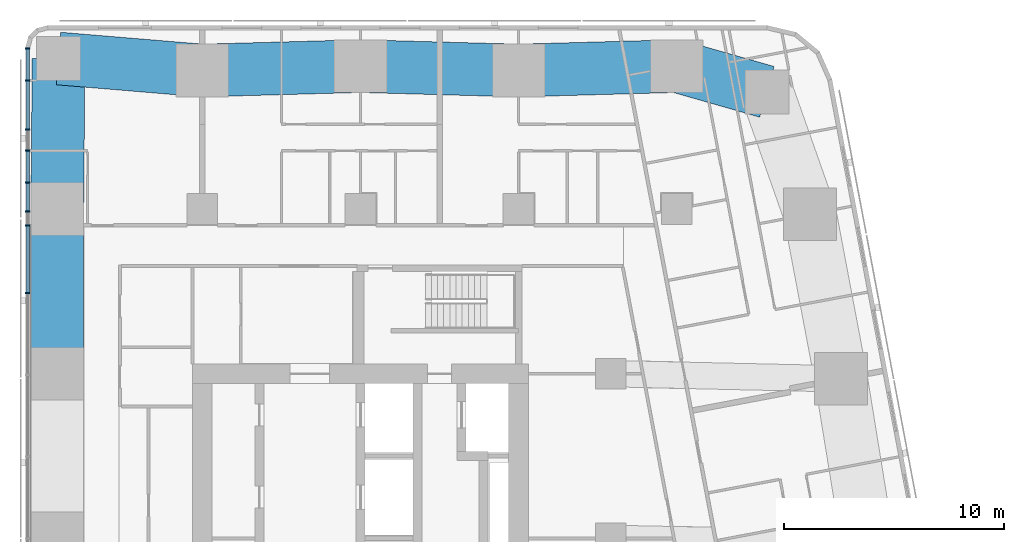
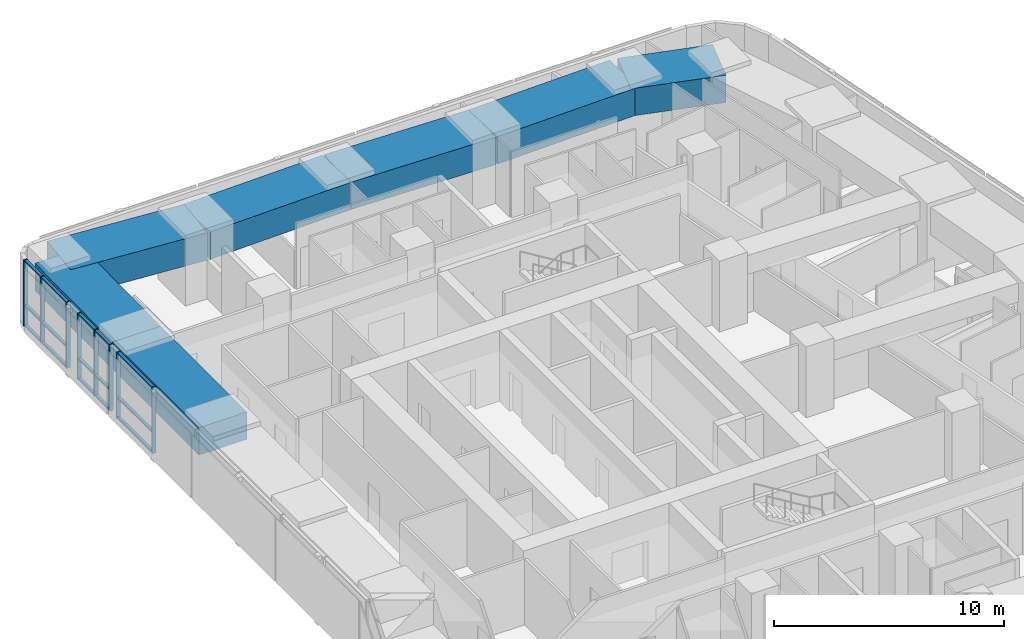
# One storey, part 5 of 19: 23 members, 7 beams, 1 element without a shape of its own.
"""IFC4 building model written with IfcOpenShell, lengths in metres."""

from ifc_helpers import new_model, si_unit, direction, frame, origin, origin_2d, place, context, subcontext, project, spatial, rectangle, extrude, material, material_profile, profile_set, type_object, element, aggregate, save


model = new_model("IFC4")

# Units and contexts
model_context = context("Model", 3, precision=1e-05, world=origin(), true_north=direction((0.0, 1.0)))
body_context = subcontext(model_context, "Body", "Model", "MODEL_VIEW")
ifc_project = project(units=[si_unit("LENGTHUNIT", "METRE"), si_unit("AREAUNIT", "SQUARE_METRE"), si_unit("VOLUMEUNIT", "CUBIC_METRE"), si_unit("PLANEANGLEUNIT", "RADIAN"), si_unit("MASSUNIT", "GRAM", prefix="KILO")], contexts=[model_context])

# Site, building, storey
site_placement = place(None, origin())
site = spatial("IfcSite", under=ifc_project, at=site_placement, CompositionType="ELEMENT")
building_placement = place(site_placement, origin())
building = spatial("IfcBuilding", under=site, at=building_placement, Name="Sheger Commons Tower", CompositionType="ELEMENT")
storey_placement = place(building_placement, frame((0.0, 0.0, 219.949951171875)))
storey = spatial("IfcBuildingStorey", under=building, at=storey_placement, Name="L56", CompositionType="ELEMENT", Elevation=219.949951171875)

# Curtain wall, members
ifc_material_1 = material(Name="Black aluminium curtain wall, dark tinted glazing", Category="aluminium")
curtain_wall_type = type_object("IfcCurtainWallType", Name="CURTAIN WALL CW4 GALLERY", PredefinedType="USERDEFINED", material=ifc_material_1)
curtain_wall_placement = place(storey_placement, origin())
curtain_wall = element("IfcCurtainWall", 1, at=curtain_wall_placement, inside=storey, type_object=curtain_wall_type, Name="Curtain Wall Cw4 Gallery W1 L56", ObjectType="UNITISED CURTAIN WALL", PredefinedType="USERDEFINED")
ifc_material_2 = material(Name="Black anodised aluminium", Category="aluminium")
ifc_material_profile_1 = material_profile(ifc_material_2, rectangle(XDim=0.199951171875, YDim=0.06494140625, at=origin_2d()), Name="AL 65x200")
ifc_profile_set_1 = profile_set([ifc_material_profile_1], Name="Black anodised aluminium")
member_type_1 = type_object("IfcMemberType", Name="MULLION AL 65x200", PredefinedType="MULLION", material=ifc_profile_set_1)
member_1_placement = place(storey_placement, frame((6.449951171875, 44.804443359375, 0.0), z_axis=(0.0, 0.0, 1.0), x_axis=(1.0, 0.0, 0.0)))
member_1 = element("IfcMember", 2, at=member_1_placement, type_object=member_type_1, Name="CW4 mullion 1", PredefinedType="MULLION", context=body_context, shape_type="SweptSolid", body=[
    extrude(rectangle(XDim=0.199951171875, YDim=0.06494140625, at=origin_2d()), origin(), (0.0, 0.0, 1.0), 3.5),
])
member_2_placement = place(storey_placement, frame((6.449951171875, 43.345947265625, 0.0), z_axis=(0.0, 0.0, 1.0), x_axis=(1.0, 0.0, 0.0)))
member_2 = element("IfcMember", 3, at=member_2_placement, type_object=member_type_1, Name="CW4 mullion 2", PredefinedType="MULLION", context=body_context, shape_type="SweptSolid", body=[
    extrude(rectangle(XDim=0.199951171875, YDim=0.06494140625, at=origin_2d()), origin(), (0.0, 0.0, 1.0), 3.5),
])
member_3_placement = place(storey_placement, frame((6.449951171875, 41.114013671875, 0.0), z_axis=(0.0, 0.0, 1.0), x_axis=(1.0, 0.0, 0.0)))
member_3 = element("IfcMember", 4, at=member_3_placement, type_object=member_type_1, Name="CW4 mullion 3", PredefinedType="MULLION", context=body_context, shape_type="SweptSolid", body=[
    extrude(rectangle(XDim=0.199951171875, YDim=0.06494140625, at=origin_2d()), origin(), (0.0, 0.0, 1.0), 3.5),
])
member_4_placement = place(storey_placement, frame((6.449951171875, 40.14990234375, 0.0), z_axis=(0.0, 0.0, 1.0), x_axis=(1.0, 0.0, 0.0)))
member_4 = element("IfcMember", 5, at=member_4_placement, type_object=member_type_1, Name="CW4 mullion 4", PredefinedType="MULLION", context=body_context, shape_type="SweptSolid", body=[
    extrude(rectangle(XDim=0.199951171875, YDim=0.06494140625, at=origin_2d()), origin(), (0.0, 0.0, 1.0), 3.5),
])
member_5_placement = place(storey_placement, frame((6.449951171875, 38.699951171875, 0.0), z_axis=(0.0, 0.0, 1.0), x_axis=(1.0, 0.0, 0.0)))
member_5 = element("IfcMember", 6, at=member_5_placement, type_object=member_type_1, Name="CW4 mullion 5", PredefinedType="MULLION", context=body_context, shape_type="SweptSolid", body=[
    extrude(rectangle(XDim=0.199951171875, YDim=0.06494140625, at=origin_2d()), origin(), (0.0, 0.0, 1.0), 3.5),
])
member_6_placement = place(storey_placement, frame((6.449951171875, 37.39111328125, 0.0), z_axis=(0.0, 0.0, 1.0), x_axis=(1.0, 0.0, 0.0)))
member_6 = element("IfcMember", 7, at=member_6_placement, type_object=member_type_1, Name="CW4 mullion 6", PredefinedType="MULLION", context=body_context, shape_type="SweptSolid", body=[
    extrude(rectangle(XDim=0.199951171875, YDim=0.06494140625, at=origin_2d()), origin(), (0.0, 0.0, 1.0), 3.5),
])
member_7_placement = place(storey_placement, frame((6.449951171875, 36.75, 0.0), z_axis=(0.0, 0.0, 1.0), x_axis=(1.0, 0.0, 0.0)))
member_7 = element("IfcMember", 8, at=member_7_placement, type_object=member_type_1, Name="CW4 mullion 7", PredefinedType="MULLION", context=body_context, shape_type="SweptSolid", body=[
    extrude(rectangle(XDim=0.199951171875, YDim=0.06494140625, at=origin_2d()), origin(), (0.0, 0.0, 1.0), 3.5),
])
member_8_placement = place(storey_placement, frame((6.449951171875, 33.66796875, 0.0), z_axis=(0.0, 0.0, 1.0), x_axis=(1.0, 0.0, 0.0)))
member_8 = element("IfcMember", 9, at=member_8_placement, type_object=member_type_1, Name="CW4 mullion 8", PredefinedType="MULLION", context=body_context, shape_type="SweptSolid", body=[
    extrude(rectangle(XDim=0.199951171875, YDim=0.06494140625, at=origin_2d()), origin(), (0.0, 0.0, 1.0), 3.5),
])

# Beams
ifc_material_3 = material(Name="Concrete C50/60", Category="concrete")
ifc_material_profile_2 = material_profile(ifc_material_3, rectangle(XDim=2.39990234375, YDim=1.449951171875, at=origin_2d()), Name="RC 2400x1450")
ifc_profile_set_2 = profile_set([ifc_material_profile_2], Name="Concrete C50/60")
beam_type = type_object("IfcBeamType", Name="SPANDREL RC 2400x1450", PredefinedType="SPANDREL", material=ifc_profile_set_2)
beam_1_placement = place(storey_placement, frame((40.10205078125, 42.830078125, 2.775146484375), z_axis=(-0.961653428129, 0.274267541221, 0.0), x_axis=(-0.274267541221, -0.961653428129, 0.0)))
element("IfcBeam", 10, at=beam_1_placement, inside=storey, type_object=beam_type, Name="Beam 41.490,44.505-6/G under L57", PredefinedType="SPANDREL", context=body_context, shape_type="SweptSolid", body=[
    extrude(rectangle(XDim=2.39990234375, YDim=1.449951171875, at=origin_2d()), origin(), (0.0, 0.0, 1.0), 4.265625),
])
for number, where, z_axis, x_axis, name in (
    (11, (36.0, 44.0, 2.775146484375), (-0.999614603568, -0.027760481514, 0.0), (0.027760481514, -0.999614603568, 0.0), "Beam 6/G-5/G under L57"),
    (12, (28.800048828125, 43.800048828125, 2.775146484375), (-0.999614603568, 0.027760481514, 0.0), (-0.027760481514, -0.999614603568, 0.0), "Beam 5/G-4/G under L57"),
):
    element("IfcBeam", number, at=place(storey_placement, frame(where, z_axis=z_axis, x_axis=x_axis)), inside=storey, type_object=beam_type, Name=name, PredefinedType="SPANDREL", context=body_context, shape_type="SweptSolid", body=[
        extrude(rectangle(XDim=2.39990234375, YDim=1.449951171875, at=origin_2d()), origin(), (0.0, 0.0, 1.0), 7.20263671875),
    ])
beam_2_placement = place(storey_placement, frame((21.60009765625, 44.0, 2.775146484375), z_axis=(-0.999614629688, -0.027759540951, 0.0), x_axis=(0.027759540951, -0.999614629688, 0.0)))
element("IfcBeam", 13, at=beam_2_placement, inside=storey, type_object=beam_type, Name="Beam 4/G-3/G under L57", PredefinedType="SPANDREL", context=body_context, shape_type="SweptSolid", body=[
    extrude(rectangle(XDim=2.39990234375, YDim=1.449951171875, at=origin_2d()), origin(), (0.0, 0.0, 1.0), 7.202880859375),
])
beam_3_placement = place(storey_placement, frame((14.39990234375, 43.800048828125, 2.775146484375), z_axis=(-0.996540629765, 0.083106998663, 0.0), x_axis=(-0.083106998663, -0.996540629765, 0.0)))
element("IfcBeam", 14, at=beam_3_placement, inside=storey, type_object=beam_type, Name="Beam 3/G-2/G under L57", PredefinedType="SPANDREL", context=body_context, shape_type="SweptSolid", body=[
    extrude(rectangle(XDim=2.39990234375, YDim=1.449951171875, at=origin_2d()), origin(), (0.0, 0.0, 1.0), 6.568603515625),
])
beam_4_placement = place(storey_placement, frame((7.85400390625, 44.345947265625, 2.775146484375), z_axis=(-0.00788107188, -0.999968943871, 0.0), x_axis=(0.999968943871, -0.00788107188, 0.0)))
element("IfcBeam", 15, at=beam_4_placement, inside=storey, type_object=beam_type, Name="Beam 2/G-2/F under L57", PredefinedType="SPANDREL", context=body_context, shape_type="SweptSolid", body=[
    extrude(rectangle(XDim=2.39990234375, YDim=1.449951171875, at=origin_2d()), origin(), (0.0, 0.0, 1.0), 6.84619140625),
])
beam_5_placement = place(storey_placement, frame((7.800048828125, 37.5, 2.775146484375), z_axis=(0.0, -1.0, 0.0), x_axis=(1.0, 0.0, 0.0)))
element("IfcBeam", 16, at=beam_5_placement, inside=storey, type_object=beam_type, Name="Beam 2/F-2/E under L57", PredefinedType="SPANDREL", context=body_context, shape_type="SweptSolid", body=[
    extrude(rectangle(XDim=2.39990234375, YDim=1.449951171875, at=origin_2d()), origin(), (0.0, 0.0, 1.0), 7.5),
])

# Member
ifc_material_4 = material(Name="Black anodised aluminium", Category="aluminium")
ifc_material_profile_3 = material_profile(ifc_material_4, rectangle(XDim=0.14990234375, YDim=0.06494140625, at=origin_2d()), Name="AL 65x150")
ifc_profile_set_3 = profile_set([ifc_material_profile_3], Name="Black anodised aluminium")
member_type_2 = type_object("IfcMemberType", Name="TRANSOM AL 65x150", PredefinedType="USERDEFINED", material=ifc_profile_set_3)
member_9_placement = place(storey_placement, frame((6.449951171875, 44.77197265625, 0.032470703125), z_axis=(0.0, -1.0, 0.0), x_axis=(1.0, 0.0, 0.0)))
member_9 = element("IfcMember", 17, at=member_9_placement, type_object=member_type_2, Name="CW4 transom 1.1", ObjectType="TRANSOM", PredefinedType="USERDEFINED", context=body_context, shape_type="SweptSolid", body=[
    extrude(rectangle(XDim=0.14990234375, YDim=0.06494140625, at=origin_2d()), origin(), (0.0, 0.0, 1.0), 1.3935546875),
])

member_10_placement = place(storey_placement, frame((6.449951171875, 44.77197265625, 1.10009765625), z_axis=(0.0, -1.0, 0.0), x_axis=(1.0, 0.0, 0.0)))
member_10 = element("IfcMember", 18, at=member_10_placement, type_object=member_type_2, Name="CW4 transom 1.2", ObjectType="TRANSOM", PredefinedType="USERDEFINED", context=body_context, shape_type="SweptSolid", body=[
    extrude(rectangle(XDim=0.14990234375, YDim=0.06494140625, at=origin_2d()), origin(), (0.0, 0.0, 1.0), 1.3935546875),
])

member_11_placement = place(storey_placement, frame((6.449951171875, 44.77197265625, 3.467529296875), z_axis=(0.0, -1.0, 0.0), x_axis=(1.0, 0.0, 0.0)))
member_11 = element("IfcMember", 19, at=member_11_placement, type_object=member_type_2, Name="CW4 transom 1.3", ObjectType="TRANSOM", PredefinedType="USERDEFINED", context=body_context, shape_type="SweptSolid", body=[
    extrude(rectangle(XDim=0.14990234375, YDim=0.06494140625, at=origin_2d()), origin(), (0.0, 0.0, 1.0), 1.3935546875),
])

member_12_placement = place(storey_placement, frame((6.449951171875, 43.3134765625, 0.032470703125), z_axis=(0.0, -1.0, 0.0), x_axis=(1.0, 0.0, 0.0)))
member_12 = element("IfcMember", 20, at=member_12_placement, type_object=member_type_2, Name="CW4 transom 2.1", ObjectType="TRANSOM", PredefinedType="USERDEFINED", context=body_context, shape_type="SweptSolid", body=[
    extrude(rectangle(XDim=0.14990234375, YDim=0.06494140625, at=origin_2d()), origin(), (0.0, 0.0, 1.0), 2.1669921875),
])

member_13_placement = place(storey_placement, frame((6.449951171875, 43.3134765625, 1.10009765625), z_axis=(0.0, -1.0, 0.0), x_axis=(1.0, 0.0, 0.0)))
member_13 = element("IfcMember", 21, at=member_13_placement, type_object=member_type_2, Name="CW4 transom 2.2", ObjectType="TRANSOM", PredefinedType="USERDEFINED", context=body_context, shape_type="SweptSolid", body=[
    extrude(rectangle(XDim=0.14990234375, YDim=0.06494140625, at=origin_2d()), origin(), (0.0, 0.0, 1.0), 2.1669921875),
])

member_14_placement = place(storey_placement, frame((6.449951171875, 43.3134765625, 3.467529296875), z_axis=(0.0, -1.0, 0.0), x_axis=(1.0, 0.0, 0.0)))
member_14 = element("IfcMember", 22, at=member_14_placement, type_object=member_type_2, Name="CW4 transom 2.3", ObjectType="TRANSOM", PredefinedType="USERDEFINED", context=body_context, shape_type="SweptSolid", body=[
    extrude(rectangle(XDim=0.14990234375, YDim=0.06494140625, at=origin_2d()), origin(), (0.0, 0.0, 1.0), 2.1669921875),
])

member_15_placement = place(storey_placement, frame((6.449951171875, 40.117431640625, 0.032470703125), z_axis=(0.0, -1.0, 0.0), x_axis=(1.0, 0.0, 0.0)))
member_15 = element("IfcMember", 23, at=member_15_placement, type_object=member_type_2, Name="CW4 transom 4.1", ObjectType="TRANSOM", PredefinedType="USERDEFINED", context=body_context, shape_type="SweptSolid", body=[
    extrude(rectangle(XDim=0.14990234375, YDim=0.06494140625, at=origin_2d()), origin(), (0.0, 0.0, 1.0), 1.385009765625),
])

member_16_placement = place(storey_placement, frame((6.449951171875, 40.117431640625, 1.10009765625), z_axis=(0.0, -1.0, 0.0), x_axis=(1.0, 0.0, 0.0)))
member_16 = element("IfcMember", 24, at=member_16_placement, type_object=member_type_2, Name="CW4 transom 4.2", ObjectType="TRANSOM", PredefinedType="USERDEFINED", context=body_context, shape_type="SweptSolid", body=[
    extrude(rectangle(XDim=0.14990234375, YDim=0.06494140625, at=origin_2d()), origin(), (0.0, 0.0, 1.0), 1.385009765625),
])

member_17_placement = place(storey_placement, frame((6.449951171875, 40.117431640625, 3.467529296875), z_axis=(0.0, -1.0, 0.0), x_axis=(1.0, 0.0, 0.0)))
member_17 = element("IfcMember", 25, at=member_17_placement, type_object=member_type_2, Name="CW4 transom 4.3", ObjectType="TRANSOM", PredefinedType="USERDEFINED", context=body_context, shape_type="SweptSolid", body=[
    extrude(rectangle(XDim=0.14990234375, YDim=0.06494140625, at=origin_2d()), origin(), (0.0, 0.0, 1.0), 1.385009765625),
])

member_18_placement = place(storey_placement, frame((6.449951171875, 38.66748046875, 0.032470703125), z_axis=(0.0, -1.0, 0.0), x_axis=(1.0, 0.0, 0.0)))
member_18 = element("IfcMember", 26, at=member_18_placement, type_object=member_type_2, Name="CW4 transom 5.1", ObjectType="TRANSOM", PredefinedType="USERDEFINED", context=body_context, shape_type="SweptSolid", body=[
    extrude(rectangle(XDim=0.14990234375, YDim=0.06494140625, at=origin_2d()), origin(), (0.0, 0.0, 1.0), 1.243896484375),
])

member_19_placement = place(storey_placement, frame((6.449951171875, 38.66748046875, 1.10009765625), z_axis=(0.0, -1.0, 0.0), x_axis=(1.0, 0.0, 0.0)))
member_19 = element("IfcMember", 27, at=member_19_placement, type_object=member_type_2, Name="CW4 transom 5.2", ObjectType="TRANSOM", PredefinedType="USERDEFINED", context=body_context, shape_type="SweptSolid", body=[
    extrude(rectangle(XDim=0.14990234375, YDim=0.06494140625, at=origin_2d()), origin(), (0.0, 0.0, 1.0), 1.243896484375),
])

member_20_placement = place(storey_placement, frame((6.449951171875, 38.66748046875, 3.467529296875), z_axis=(0.0, -1.0, 0.0), x_axis=(1.0, 0.0, 0.0)))
member_20 = element("IfcMember", 28, at=member_20_placement, type_object=member_type_2, Name="CW4 transom 5.3", ObjectType="TRANSOM", PredefinedType="USERDEFINED", context=body_context, shape_type="SweptSolid", body=[
    extrude(rectangle(XDim=0.14990234375, YDim=0.06494140625, at=origin_2d()), origin(), (0.0, 0.0, 1.0), 1.243896484375),
])

member_21_placement = place(storey_placement, frame((6.449951171875, 36.717529296875, 0.032470703125), z_axis=(0.0, -1.0, 0.0), x_axis=(1.0, 0.0, 0.0)))
member_21 = element("IfcMember", 29, at=member_21_placement, type_object=member_type_2, Name="CW4 transom 7.1", ObjectType="TRANSOM", PredefinedType="USERDEFINED", context=body_context, shape_type="SweptSolid", body=[
    extrude(rectangle(XDim=0.14990234375, YDim=0.06494140625, at=origin_2d()), origin(), (0.0, 0.0, 1.0), 3.01708984375),
])

member_22_placement = place(storey_placement, frame((6.449951171875, 36.717529296875, 1.10009765625), z_axis=(0.0, -1.0, 0.0), x_axis=(1.0, 0.0, 0.0)))
member_22 = element("IfcMember", 30, at=member_22_placement, type_object=member_type_2, Name="CW4 transom 7.2", ObjectType="TRANSOM", PredefinedType="USERDEFINED", context=body_context, shape_type="SweptSolid", body=[
    extrude(rectangle(XDim=0.14990234375, YDim=0.06494140625, at=origin_2d()), origin(), (0.0, 0.0, 1.0), 3.01708984375),
])

member_23_placement = place(storey_placement, frame((6.449951171875, 36.717529296875, 3.467529296875), z_axis=(0.0, -1.0, 0.0), x_axis=(1.0, 0.0, 0.0)))
member_23 = element("IfcMember", 31, at=member_23_placement, type_object=member_type_2, Name="CW4 transom 7.3", ObjectType="TRANSOM", PredefinedType="USERDEFINED", context=body_context, shape_type="SweptSolid", body=[
    extrude(rectangle(XDim=0.14990234375, YDim=0.06494140625, at=origin_2d()), origin(), (0.0, 0.0, 1.0), 3.01708984375),
])

aggregate(curtain_wall, [member_1, member_2, member_3, member_4, member_5, member_6, member_7, member_8, member_9, member_10, member_11, member_12, member_13, member_14, member_15, member_16, member_17, member_18, member_19, member_20, member_21, member_22, member_23])

save(model, "model.ifc")
